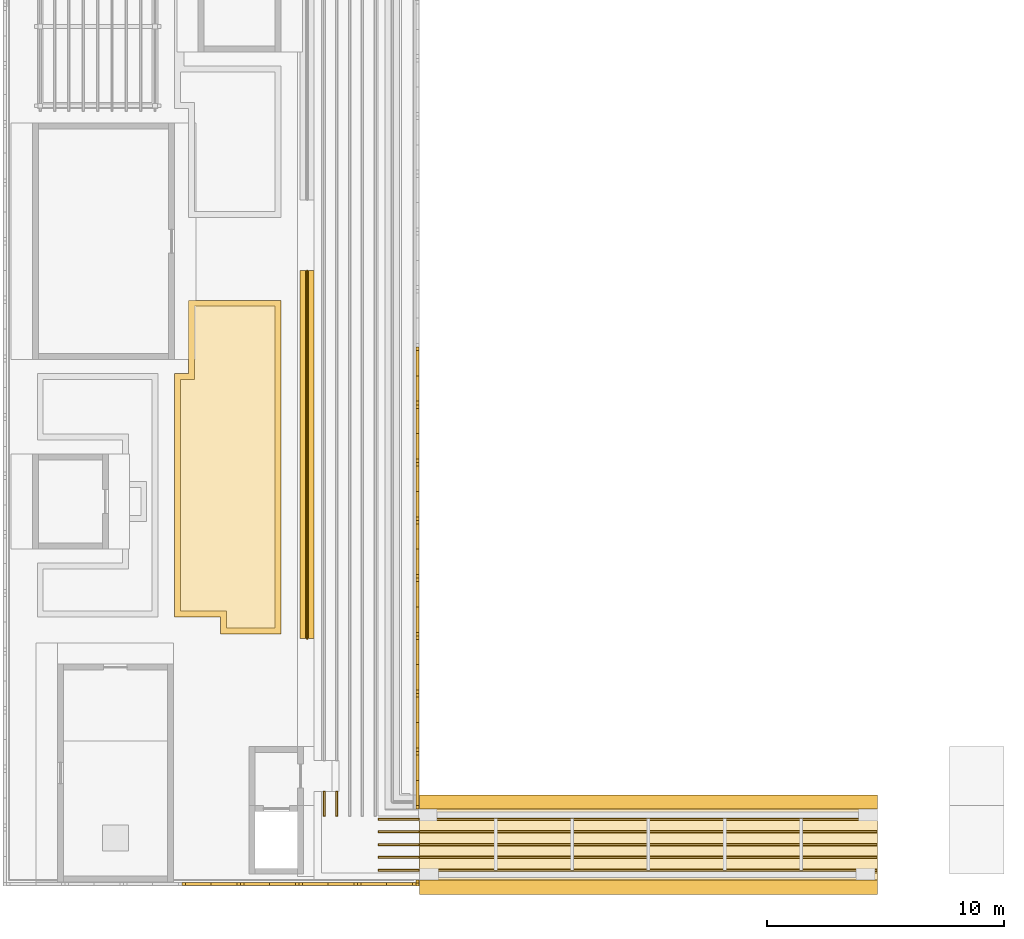
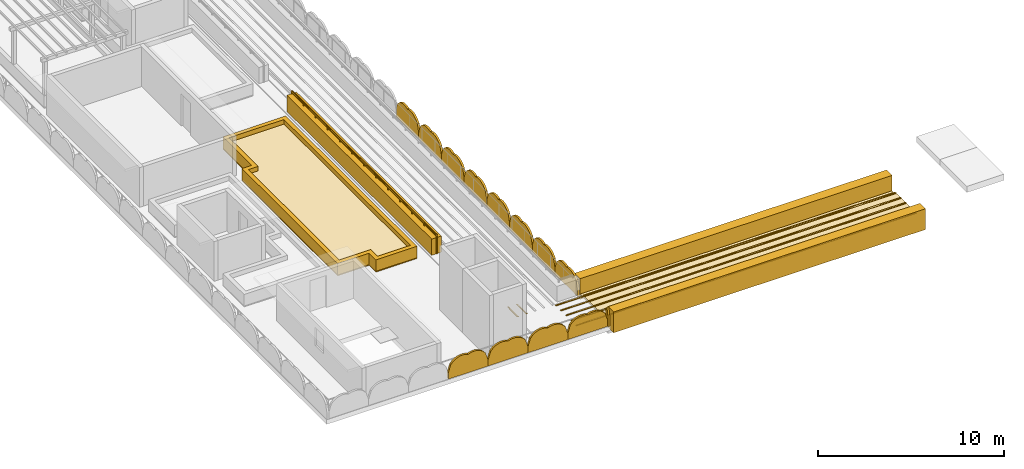
# One storey, part 20 of 22: 20 coverings, 13 shading devices, 1 railing.
"""IFC4 building model written with IfcOpenShell, lengths in metres."""

from ifc_helpers import new_model, si_unit, direction, frame, origin, origin_2d, place, context, subcontext, project, spatial, polyline, circle, outline, extrude, material, layer, layer_set, type_object, element, save


model = new_model("IFC4")

# Units and contexts
model_context = context("Model", 3, precision=1e-05, world=origin(), true_north=direction((0.0, 1.0)))
body_context = subcontext(model_context, "Body", "Model", "MODEL_VIEW")
ifc_project = project(units=[si_unit("LENGTHUNIT", "METRE"), si_unit("AREAUNIT", "SQUARE_METRE"), si_unit("VOLUMEUNIT", "CUBIC_METRE"), si_unit("PLANEANGLEUNIT", "RADIAN"), si_unit("MASSUNIT", "GRAM", prefix="KILO")], contexts=[model_context])

# Site, building, storey
site_placement = place(None, origin())
site = spatial("IfcSite", under=ifc_project, at=site_placement, CompositionType="ELEMENT")
building_placement = place(site_placement, origin())
building = spatial("IfcBuilding", under=site, at=building_placement, Name="Elbe Cascade School", CompositionType="ELEMENT")
storey_placement = place(building_placement, frame((0.0, 0.0, 18.89990234375)))
storey = spatial("IfcBuildingStorey", under=building, at=storey_placement, Name="R05", CompositionType="ELEMENT", Elevation=18.89990234375)

# Shading devices
ifc_material_1 = material(Name="Precast concrete C40/50", Category="concrete")
ifc_layer_1 = layer(ifc_material_1, 0.1201171875)
ifc_layer_set_1 = layer_set([ifc_layer_1], Name="Precast concrete C40/50")
shading_device_type = type_object("IfcShadingDeviceType", Name="Bars envelope Attic jali screen, pointed arch top, pierced precast concrete, 1200 high", PredefinedType="USERDEFINED", material=ifc_layer_set_1)
shading_device_1_placement = place(storey_placement, frame((86.320068359375, 5.75, 0.0), z_axis=(1.0, 0.0, 0.0), x_axis=(0.0, 1.0, 0.0)))
element("IfcShadingDevice", 1, at=shading_device_1_placement, inside=storey, type_object=shading_device_type, Name="Attic jali screen SD1 A.R05.e1", ObjectType="JALI", PredefinedType="USERDEFINED", context=body_context, shape_type="SweptSolid", body=[
    extrude(outline(polyline([(0.0, 0.0), (0.25, 0.0), (0.25, 0.400146484375), (0.234375, 0.685791015625), (0.21875, 0.8037109375), (0.203125, 0.893798828125), (0.1875, 0.96923828125), (0.171875, 1.035400390625), (0.15625, 1.094970703125), (0.140625, 1.149658203125), (0.125, 1.2001953125), (0.109375, 1.149658203125), (0.09375, 1.094970703125), (0.078125, 1.035400390625), (0.0625, 0.96923828125), (0.046875, 0.893798828125), (0.03125, 0.8037109375), (0.015625, 0.685791015625), (0.0, 0.400146484375), (0.0, 0.0)])), origin(), (0.0, 0.0, -1.0), 0.1201171875),
])
shading_device_2_placement = place(storey_placement, frame((86.320068359375, 9.0, 0.0), z_axis=(1.0, 0.0, 0.0), x_axis=(0.0, 1.0, 0.0)))
element("IfcShadingDevice", 2, at=shading_device_2_placement, inside=storey, type_object=shading_device_type, Name="Attic jali screen SD1 A.R05.e2", ObjectType="JALI", PredefinedType="USERDEFINED", context=body_context, shape_type="SweptSolid", body=[
    extrude(outline(polyline([(0.0, 0.0), (2.4404296875, 0.0), (2.4404296875, 0.400146484375), (2.287841796875, 0.892822265625), (2.135498046875, 1.062744140625), (1.98291015625, 1.16748046875), (1.830322265625, 1.232177734375), (1.677734375, 1.265380859375), (1.525390625, 1.271484375), (1.372802734375, 1.250244140625), (1.22021484375, 1.2001953125), (1.067626953125, 1.250244140625), (0.915283203125, 1.271484375), (0.7626953125, 1.265380859375), (0.610107421875, 1.232177734375), (0.45751953125, 1.16748046875), (0.30517578125, 1.062744140625), (0.152587890625, 0.892822265625), (0.0, 0.400146484375), (0.0, 0.0)])), origin(), (0.0, 0.0, -1.0), 0.1201171875),
])
shading_device_3_placement = place(storey_placement, frame((86.320068359375, 11.4404296875, 0.0), z_axis=(1.0, 0.0, 0.0), x_axis=(0.0, 1.0, 0.0)))
element("IfcShadingDevice", 3, at=shading_device_3_placement, inside=storey, type_object=shading_device_type, Name="Attic jali screen SD1 A.R05.e3", ObjectType="JALI", PredefinedType="USERDEFINED", context=body_context, shape_type="SweptSolid", body=[
    extrude(outline(polyline([(0.0, 0.0), (2.440673828125, 0.0), (2.440673828125, 0.400146484375), (2.2880859375, 0.892822265625), (2.135498046875, 1.062744140625), (1.98291015625, 1.16748046875), (1.830322265625, 1.232177734375), (1.677978515625, 1.265380859375), (1.525390625, 1.271484375), (1.372802734375, 1.250244140625), (1.22021484375, 1.2001953125), (1.06787109375, 1.250244140625), (0.915283203125, 1.271484375), (0.7626953125, 1.265380859375), (0.610107421875, 1.232177734375), (0.457763671875, 1.16748046875), (0.30517578125, 1.062744140625), (0.152587890625, 0.892822265625), (0.0, 0.400146484375), (0.0, 0.0)])), origin(), (0.0, 0.0, -1.0), 0.1201171875),
])
shading_device_4_placement = place(storey_placement, frame((86.320068359375, 13.881103515625, 0.0), z_axis=(1.0, 0.0, 0.0), x_axis=(0.0, 1.0, 0.0)))
element("IfcShadingDevice", 4, at=shading_device_4_placement, inside=storey, type_object=shading_device_type, Name="Attic jali screen SD1 A.R05.e4", ObjectType="JALI", PredefinedType="USERDEFINED", context=body_context, shape_type="SweptSolid", body=[
    extrude(outline(polyline([(0.0, 0.0), (2.440185546875, 0.0), (2.440185546875, 0.400146484375), (2.287841796875, 0.892822265625), (2.13525390625, 1.062744140625), (1.982666015625, 1.16748046875), (1.830078125, 1.232177734375), (1.677734375, 1.265380859375), (1.525146484375, 1.271484375), (1.37255859375, 1.250244140625), (1.22021484375, 1.2001953125), (1.067626953125, 1.250244140625), (0.9150390625, 1.271484375), (0.762451171875, 1.265380859375), (0.610107421875, 1.232177734375), (0.457275390625, 1.16748046875), (0.304931640625, 1.062744140625), (0.15234375, 0.892822265625), (0.0, 0.400146484375), (0.0, 0.0)])), origin(), (0.0, 0.0, -1.0), 0.1201171875),
])
shading_device_5_placement = place(storey_placement, frame((86.320068359375, 16.3212890625, 0.0), z_axis=(1.0, 0.0, 0.0), x_axis=(0.0, 1.0, 0.0)))
element("IfcShadingDevice", 5, at=shading_device_5_placement, inside=storey, type_object=shading_device_type, Name="Attic jali screen SD1 A.R05.e5", ObjectType="JALI", PredefinedType="USERDEFINED", context=body_context, shape_type="SweptSolid", body=[
    extrude(outline(polyline([(0.0, 0.0), (2.440673828125, 0.0), (2.440673828125, 0.400146484375), (2.2880859375, 0.892822265625), (2.135498046875, 1.062744140625), (1.98291015625, 1.16748046875), (1.83056640625, 1.232177734375), (1.677978515625, 1.265380859375), (1.525390625, 1.271484375), (1.372802734375, 1.250244140625), (1.220458984375, 1.2001953125), (1.06787109375, 1.250244140625), (0.915283203125, 1.271484375), (0.7626953125, 1.265380859375), (0.610107421875, 1.232177734375), (0.457763671875, 1.16748046875), (0.30517578125, 1.062744140625), (0.15283203125, 0.892822265625), (0.0, 0.400146484375), (0.0, 0.0)])), origin(), (0.0, 0.0, -1.0), 0.1201171875),
])
shading_device_6_placement = place(storey_placement, frame((86.320068359375, 18.761962890625, 0.0), z_axis=(1.0, 0.0, 0.0), x_axis=(0.0, 1.0, 0.0)))
element("IfcShadingDevice", 6, at=shading_device_6_placement, inside=storey, type_object=shading_device_type, Name="Attic jali screen SD1 A.R05.e6", ObjectType="JALI", PredefinedType="USERDEFINED", context=body_context, shape_type="SweptSolid", body=[
    extrude(outline(polyline([(0.0, 0.0), (2.4404296875, 0.0), (2.4404296875, 0.400146484375), (2.287841796875, 0.892822265625), (2.13525390625, 1.062744140625), (1.98291015625, 1.16748046875), (1.830322265625, 1.232177734375), (1.677734375, 1.265380859375), (1.525146484375, 1.271484375), (1.372802734375, 1.250244140625), (1.22021484375, 1.2001953125), (1.067626953125, 1.250244140625), (0.9150390625, 1.271484375), (0.7626953125, 1.265380859375), (0.610107421875, 1.232177734375), (0.45751953125, 1.16748046875), (0.304931640625, 1.062744140625), (0.15234375, 0.892822265625), (0.0, 0.400146484375), (0.0, 0.0)])), origin(), (0.0, 0.0, -1.0), 0.1201171875),
])
shading_device_7_placement = place(storey_placement, frame((86.320068359375, 21.202392578125, 0.0), z_axis=(1.0, 0.0, 0.0), x_axis=(0.0, 1.0, 0.0)))
element("IfcShadingDevice", 7, at=shading_device_7_placement, inside=storey, type_object=shading_device_type, Name="Attic jali screen SD1 A.R05.e7", ObjectType="JALI", PredefinedType="USERDEFINED", context=body_context, shape_type="SweptSolid", body=[
    extrude(outline(polyline([(0.0, 0.0), (2.4404296875, 0.0), (2.4404296875, 0.400146484375), (2.287841796875, 0.892822265625), (2.135498046875, 1.062744140625), (1.98291015625, 1.16748046875), (1.830322265625, 1.232177734375), (1.677734375, 1.265380859375), (1.525390625, 1.271484375), (1.372802734375, 1.250244140625), (1.22021484375, 1.2001953125), (1.067626953125, 1.250244140625), (0.915283203125, 1.271484375), (0.7626953125, 1.265380859375), (0.610107421875, 1.232177734375), (0.45751953125, 1.16748046875), (0.304931640625, 1.062744140625), (0.152587890625, 0.892822265625), (0.0, 0.400146484375), (0.0, 0.0)])), origin(), (0.0, 0.0, -1.0), 0.1201171875),
])
shading_device_8_placement = place(storey_placement, frame((86.320068359375, 23.642822265625, 0.0), z_axis=(1.0, 0.0, 0.0), x_axis=(0.0, 1.0, 0.0)))
element("IfcShadingDevice", 8, at=shading_device_8_placement, inside=storey, type_object=shading_device_type, Name="Attic jali screen SD1 A.R05.e8", ObjectType="JALI", PredefinedType="USERDEFINED", context=body_context, shape_type="SweptSolid", body=[
    extrude(outline(polyline([(0.0, 0.0), (2.4404296875, 0.0), (2.4404296875, 0.400146484375), (2.2880859375, 0.892822265625), (2.135498046875, 1.062744140625), (1.98291015625, 1.16748046875), (1.830322265625, 1.232177734375), (1.677978515625, 1.265380859375), (1.525390625, 1.271484375), (1.372802734375, 1.250244140625), (1.22021484375, 1.2001953125), (1.06787109375, 1.250244140625), (0.915283203125, 1.271484375), (0.7626953125, 1.265380859375), (0.610107421875, 1.232177734375), (0.45751953125, 1.16748046875), (0.30517578125, 1.062744140625), (0.152587890625, 0.892822265625), (0.0, 0.400146484375), (0.0, 0.0)])), origin(), (0.0, 0.0, -1.0), 0.1201171875),
])
shading_device_9_placement = place(storey_placement, frame((86.320068359375, 26.083251953125, 0.0), z_axis=(1.0, 0.0, 0.0), x_axis=(0.0, 1.0, 0.0)))
element("IfcShadingDevice", 9, at=shading_device_9_placement, inside=storey, type_object=shading_device_type, Name="Attic jali screen SD1 A.R05.e9", ObjectType="JALI", PredefinedType="USERDEFINED", context=body_context, shape_type="SweptSolid", body=[
    extrude(outline(polyline([(0.0, 0.0), (2.4404296875, 0.0), (2.4404296875, 0.400146484375), (2.2880859375, 0.892822265625), (2.135498046875, 1.062744140625), (1.98291015625, 1.16748046875), (1.83056640625, 1.232177734375), (1.677978515625, 1.265380859375), (1.525390625, 1.271484375), (1.372802734375, 1.250244140625), (1.220458984375, 1.2001953125), (1.067626953125, 1.250244140625), (0.915283203125, 1.271484375), (0.7626953125, 1.265380859375), (0.6103515625, 1.232177734375), (0.457763671875, 1.16748046875), (0.30517578125, 1.062744140625), (0.152587890625, 0.892822265625), (0.0, 0.400146484375), (0.0, 0.0)])), origin(), (0.0, 0.0, -1.0), 0.1201171875),
])
shading_device_10_placement = place(storey_placement, frame((76.314208984375, 5.780029296875, 0.0), z_axis=(0.0, -1.0, 0.0), x_axis=(1.0, 0.0, 0.0)))
element("IfcShadingDevice", 10, at=shading_device_10_placement, inside=storey, type_object=shading_device_type, Name="Attic jali screen SD1 A.R05.s4", ObjectType="JALI", PredefinedType="USERDEFINED", context=body_context, shape_type="SweptSolid", body=[
    extrude(outline(polyline([(0.0, 0.0), (2.471435546875, 0.0), (2.471435546875, 0.400146484375), (2.31689453125, 0.897216796875), (2.16259765625, 1.068115234375), (2.008056640625, 1.17333984375), (1.853759765625, 1.23779296875), (1.69921875, 1.270751953125), (1.544677734375, 1.275390625), (1.390380859375, 1.252685546875), (1.23583984375, 1.2001953125), (1.081298828125, 1.252685546875), (0.927001953125, 1.275390625), (0.7724609375, 1.270751953125), (0.617919921875, 1.23779296875), (0.46337890625, 1.17333984375), (0.30908203125, 1.068115234375), (0.154541015625, 0.897216796875), (0.0, 0.400146484375), (0.0, 0.0)])), origin(), (0.0, 0.0, -1.0), 0.1201171875),
])
shading_device_11_placement = place(storey_placement, frame((78.78564453125, 5.780029296875, 0.0), z_axis=(0.0, -1.0, 0.0), x_axis=(1.0, 0.0, 0.0)))
element("IfcShadingDevice", 11, at=shading_device_11_placement, inside=storey, type_object=shading_device_type, Name="Attic jali screen SD1 A.R05.s5", ObjectType="JALI", PredefinedType="USERDEFINED", context=body_context, shape_type="SweptSolid", body=[
    extrude(outline(polyline([(0.0, 0.0), (2.471435546875, 0.0), (2.471435546875, 0.400146484375), (2.317138671875, 0.897216796875), (2.16259765625, 1.068115234375), (2.008056640625, 1.17333984375), (1.853759765625, 1.23779296875), (1.69921875, 1.270751953125), (1.544677734375, 1.275390625), (1.39013671875, 1.252685546875), (1.23583984375, 1.2001953125), (1.081298828125, 1.252685546875), (0.9267578125, 1.275390625), (0.7724609375, 1.270751953125), (0.617919921875, 1.23779296875), (0.46337890625, 1.17333984375), (0.308837890625, 1.068115234375), (0.154541015625, 0.897216796875), (0.0, 0.400146484375), (0.0, 0.0)])), origin(), (0.0, 0.0, -1.0), 0.1201171875),
])
shading_device_12_placement = place(storey_placement, frame((81.257080078125, 5.780029296875, 0.0), z_axis=(0.0, -1.0, 0.0), x_axis=(1.0, 0.0, 0.0)))
element("IfcShadingDevice", 12, at=shading_device_12_placement, inside=storey, type_object=shading_device_type, Name="Attic jali screen SD1 A.R05.s6", ObjectType="JALI", PredefinedType="USERDEFINED", context=body_context, shape_type="SweptSolid", body=[
    extrude(outline(polyline([(0.0, 0.0), (2.471435546875, 0.0), (2.471435546875, 0.400146484375), (2.317138671875, 0.897216796875), (2.16259765625, 1.068115234375), (2.008056640625, 1.17333984375), (1.853515625, 1.23779296875), (1.69921875, 1.270751953125), (1.544677734375, 1.275390625), (1.39013671875, 1.252685546875), (1.23583984375, 1.2001953125), (1.081298828125, 1.252685546875), (0.9267578125, 1.275390625), (0.7724609375, 1.270751953125), (0.617919921875, 1.23779296875), (0.46337890625, 1.17333984375), (0.30908203125, 1.068115234375), (0.154541015625, 0.897216796875), (0.0, 0.400146484375), (0.0, 0.0)])), origin(), (0.0, 0.0, -1.0), 0.1201171875),
])
shading_device_13_placement = place(storey_placement, frame((83.728515625, 5.780029296875, 0.0), z_axis=(0.0, -1.0, 0.0), x_axis=(1.0, 0.0, 0.0)))
element("IfcShadingDevice", 13, at=shading_device_13_placement, inside=storey, type_object=shading_device_type, Name="Attic jali screen SD1 A.R05.s7", ObjectType="JALI", PredefinedType="USERDEFINED", context=body_context, shape_type="SweptSolid", body=[
    extrude(outline(polyline([(0.0, 0.0), (2.471435546875, 0.0), (2.471435546875, 0.400146484375), (2.31689453125, 0.897216796875), (2.16259765625, 1.068115234375), (2.008056640625, 1.17333984375), (1.853515625, 1.23779296875), (1.69921875, 1.270751953125), (1.544677734375, 1.275390625), (1.39013671875, 1.252685546875), (1.23583984375, 1.2001953125), (1.081298828125, 1.252685546875), (0.927001953125, 1.275390625), (0.7724609375, 1.270751953125), (0.617919921875, 1.23779296875), (0.46337890625, 1.17333984375), (0.30908203125, 1.068115234375), (0.154541015625, 0.897216796875), (0.0, 0.400146484375), (0.0, 0.0)])), origin(), (0.0, 0.0, -1.0), 0.1201171875),
])

# Coverings
ifc_material_2 = material(Name="Bituminous waterproofing membrane", Category="membrane")
ifc_layer_2 = layer(ifc_material_2, 0.06005859375)
ifc_layer_set_2 = layer_set([ifc_layer_2], Name="Bituminous waterproofing membrane")
covering_type_1 = type_object("IfcCoveringType", Name="Bars envelope Roof covering, bituminous waterproofing membrane", PredefinedType="ROOFING", material=ifc_layer_set_2)
covering_1_placement = place(storey_placement, origin())
element("IfcCovering", 14, at=covering_1_placement, inside=storey, type_object=covering_type_1, Name="Roof covering CV49 A.R05.3", PredefinedType="ROOFING", context=body_context, shape_type="SweptSolid", body=[
    extrude(outline(polyline([(77.949951171875, 17.125), (76.0, 17.125), (76.0, 27.39990234375), (76.60009765625, 27.39990234375), (76.60009765625, 30.5), (80.5, 30.5), (80.5, 16.39990234375), (77.949951171875, 16.39990234375), (77.949951171875, 17.125)])), origin(), (0.0, 0.0, 1.0), 0.06005859375),
])
ifc_material_3 = material(Name="Running track surfacing - white lines", Category="surfacing")
ifc_layer_3 = layer(ifc_material_3, 0.02001953125)
ifc_layer_set_3 = layer_set([ifc_layer_3], Name="Running track surfacing - white lines")
covering_type_2 = type_object("IfcCoveringType", Name="Lane marking 80", PredefinedType="FLOORING", material=ifc_layer_set_3)
covering_2_placement = place(storey_placement, frame((0.0, 0.0, 0.22021484375)))
element("IfcCovering", 15, at=covering_2_placement, inside=storey, type_object=covering_type_2, Name="Lane marking A roof strip 1", PredefinedType="FLOORING", context=body_context, shape_type="SweptSolid", body=[
    extrude(outline(polyline([(82.280029296875, 8.699951171875), (82.280029296875, 9.75), (82.360107421875, 9.75), (82.360107421875, 8.699951171875), (82.280029296875, 8.699951171875)])), origin(), (0.0, 0.0, 1.0), 0.019775390625),
])
covering_3_placement = place(storey_placement, frame((0.0, 0.0, 0.22021484375)))
element("IfcCovering", 16, at=covering_3_placement, inside=storey, type_object=covering_type_2, Name="Lane marking A roof leg 1", PredefinedType="FLOORING", context=body_context, shape_type="SweptSolid", body=[
    extrude(outline(polyline([(84.60009765625, 6.3798828125), (86.35009765625, 6.3798828125), (86.35009765625, 6.4599609375), (84.60009765625, 6.4599609375), (84.60009765625, 6.3798828125)])), origin(), (0.0, 0.0, 1.0), 0.019775390625),
])
covering_4_placement = place(storey_placement, frame((0.0, 0.0, 0.22021484375)))
element("IfcCovering", 17, at=covering_4_placement, inside=storey, type_object=covering_type_2, Name="Lane marking A roof strip 2", PredefinedType="FLOORING", context=body_context, shape_type="SweptSolid", body=[
    extrude(outline(polyline([(82.820068359375, 8.699951171875), (82.820068359375, 9.75), (82.89990234375, 9.75), (82.89990234375, 8.699951171875), (82.820068359375, 8.699951171875)])), origin(), (0.0, 0.0, 1.0), 0.019775390625),
])
covering_5_placement = place(storey_placement, frame((0.0, 0.0, 0.22021484375)))
element("IfcCovering", 18, at=covering_5_placement, inside=storey, type_object=covering_type_2, Name="Lane marking A roof leg 2", PredefinedType="FLOORING", context=body_context, shape_type="SweptSolid", body=[
    extrude(outline(polyline([(84.60009765625, 6.919921875), (86.35009765625, 6.919921875), (86.35009765625, 7.0), (84.60009765625, 7.0), (84.60009765625, 6.919921875)])), origin(), (0.0, 0.0, 1.0), 0.019775390625),
])
covering_6_placement = place(storey_placement, frame((0.0, 0.0, 0.22021484375)))
element("IfcCovering", 19, at=covering_6_placement, inside=storey, type_object=covering_type_2, Name="Lane marking A roof leg 3", PredefinedType="FLOORING", context=body_context, shape_type="SweptSolid", body=[
    extrude(outline(polyline([(84.60009765625, 7.4599609375), (86.35009765625, 7.4599609375), (86.35009765625, 7.5400390625), (84.60009765625, 7.5400390625), (84.60009765625, 7.4599609375)])), origin(), (0.0, 0.0, 1.0), 0.019775390625),
])
covering_7_placement = place(storey_placement, frame((0.0, 0.0, 0.22021484375)))
element("IfcCovering", 20, at=covering_7_placement, inside=storey, type_object=covering_type_2, Name="Lane marking A roof leg 4", PredefinedType="FLOORING", context=body_context, shape_type="SweptSolid", body=[
    extrude(outline(polyline([(84.60009765625, 8.0), (86.35009765625, 8.0), (86.35009765625, 8.080078125), (84.60009765625, 8.080078125), (84.60009765625, 8.0)])), origin(), (0.0, 0.0, 1.0), 0.019775390625),
])
covering_8_placement = place(storey_placement, frame((0.0, 0.0, 0.22021484375)))
element("IfcCovering", 21, at=covering_8_placement, inside=storey, type_object=covering_type_2, Name="Lane marking A roof leg 5", PredefinedType="FLOORING", context=body_context, shape_type="SweptSolid", body=[
    extrude(outline(polyline([(84.60009765625, 8.5400390625), (86.35009765625, 8.5400390625), (86.35009765625, 8.6201171875), (84.60009765625, 8.6201171875), (84.60009765625, 8.5400390625)])), origin(), (0.0, 0.0, 1.0), 0.019775390625),
])
covering_9_placement = place(storey_placement, frame((0.0, 0.0, 0.22021484375)))
element("IfcCovering", 22, at=covering_9_placement, inside=storey, type_object=covering_type_2, Name="Lane marking bridge A-B 1", PredefinedType="FLOORING", context=body_context, shape_type="SweptSolid", body=[
    extrude(outline(polyline([(86.35009765625, 6.3798828125), (105.699951171875, 6.3798828125), (105.699951171875, 6.4599609375), (86.35009765625, 6.4599609375), (86.35009765625, 6.3798828125)])), origin(), (0.0, 0.0, 1.0), 0.019775390625),
])
covering_10_placement = place(storey_placement, frame((0.0, 0.0, 0.22021484375)))
element("IfcCovering", 23, at=covering_10_placement, inside=storey, type_object=covering_type_2, Name="Lane marking bridge A-B 2", PredefinedType="FLOORING", context=body_context, shape_type="SweptSolid", body=[
    extrude(outline(polyline([(86.35009765625, 6.919921875), (105.699951171875, 6.919921875), (105.699951171875, 7.0), (86.35009765625, 7.0), (86.35009765625, 6.919921875)])), origin(), (0.0, 0.0, 1.0), 0.019775390625),
])
covering_11_placement = place(storey_placement, frame((0.0, 0.0, 0.22021484375)))
element("IfcCovering", 24, at=covering_11_placement, inside=storey, type_object=covering_type_2, Name="Lane marking bridge A-B 3", PredefinedType="FLOORING", context=body_context, shape_type="SweptSolid", body=[
    extrude(outline(polyline([(86.35009765625, 7.4599609375), (105.699951171875, 7.4599609375), (105.699951171875, 7.5400390625), (86.35009765625, 7.5400390625), (86.35009765625, 7.4599609375)])), origin(), (0.0, 0.0, 1.0), 0.019775390625),
])
covering_12_placement = place(storey_placement, frame((0.0, 0.0, 0.22021484375)))
element("IfcCovering", 25, at=covering_12_placement, inside=storey, type_object=covering_type_2, Name="Lane marking bridge A-B 4", PredefinedType="FLOORING", context=body_context, shape_type="SweptSolid", body=[
    extrude(outline(polyline([(86.35009765625, 8.0), (105.699951171875, 8.0), (105.699951171875, 8.080078125), (86.35009765625, 8.080078125), (86.35009765625, 8.0)])), origin(), (0.0, 0.0, 1.0), 0.019775390625),
])
covering_13_placement = place(storey_placement, frame((0.0, 0.0, 0.22021484375)))
element("IfcCovering", 26, at=covering_13_placement, inside=storey, type_object=covering_type_2, Name="Lane marking bridge A-B 5", PredefinedType="FLOORING", context=body_context, shape_type="SweptSolid", body=[
    extrude(outline(polyline([(86.35009765625, 8.5400390625), (105.699951171875, 8.5400390625), (105.699951171875, 8.6201171875), (86.35009765625, 8.6201171875), (86.35009765625, 8.5400390625)])), origin(), (0.0, 0.0, 1.0), 0.019775390625),
])
ifc_material_4 = material(Name="Concrete C30/37 precast kerb", Category="concrete")
ifc_layer_4 = layer(ifc_material_4, 0.25)
ifc_layer_set_4 = layer_set([ifc_layer_4], Name="Concrete C30/37 precast kerb")
covering_type_3 = type_object("IfcCoveringType", Name="Planting bed kerb 250x750", PredefinedType="CLADDING", material=ifc_layer_set_4)
covering_14_placement = place(storey_placement, frame((0.0, 0.0, 0.06005859375)))
element("IfcCovering", 27, at=covering_14_placement, inside=storey, type_object=covering_type_3, Name="Planting bed kerb A M1", PredefinedType="CLADDING", context=body_context, shape_type="SweptSolid", body=[
    extrude(outline(polyline([(80.5, 30.5), (80.5, 16.39990234375), (77.949951171875, 16.39990234375), (77.949951171875, 17.125), (77.699951171875, 17.125), (76.0, 17.125), (76.0, 27.39990234375), (76.35009765625, 27.39990234375), (76.60009765625, 27.39990234375), (76.60009765625, 30.5), (80.5, 30.5)]), holes=[polyline([(80.25, 30.25), (80.25, 16.64990234375), (78.199951171875, 16.64990234375), (78.199951171875, 17.375), (76.25, 17.375), (76.25, 27.14990234375), (76.85009765625, 27.14990234375), (76.85009765625, 30.25), (80.25, 30.25)])]), origin(), (0.0, 0.0, 1.0), 0.75),
])
ifc_material_5 = material(Name="Concrete C30/37 precast parapet", Category="concrete")
ifc_layer_5 = layer(ifc_material_5, 0.60009765625)
ifc_layer_set_5 = layer_set([ifc_layer_5], Name="Concrete C30/37 precast parapet")
covering_type_4 = type_object("IfcCoveringType", Name="Ramp and bridge parapet 600", PredefinedType="CLADDING", material=ifc_layer_set_5)
covering_15_placement = place(storey_placement, frame((0.0, 0.0, -0.239990234375)))
element("IfcCovering", 28, at=covering_15_placement, inside=storey, type_object=covering_type_4, Name="Bridge A-B parapet s", PredefinedType="CLADDING", context=body_context, shape_type="SweptSolid", body=[
    extrude(outline(polyline([(86.35009765625, 5.39990234375), (105.699951171875, 5.39990234375), (105.699951171875, 6.0), (86.35009765625, 6.0), (86.35009765625, 5.39990234375)])), origin(), (0.0, 0.0, 1.0), 1.360107421875),
])
covering_16_placement = place(storey_placement, frame((0.0, 0.0, -0.239990234375)))
element("IfcCovering", 29, at=covering_16_placement, inside=storey, type_object=covering_type_4, Name="Bridge A-B parapet n", PredefinedType="CLADDING", context=body_context, shape_type="SweptSolid", body=[
    extrude(outline(polyline([(86.35009765625, 9.0), (105.699951171875, 9.0), (105.699951171875, 9.60009765625), (86.35009765625, 9.60009765625), (86.35009765625, 9.0)])), origin(), (0.0, 0.0, 1.0), 1.360107421875),
])
ifc_material_6 = material(Name="Planting - soil and shrubs", Category="soil")
ifc_layer_6 = layer(ifc_material_6, 0.449951171875)
ifc_layer_set_6 = layer_set([ifc_layer_6], Name="Planting - soil and shrubs")
covering_type_5 = type_object("IfcCoveringType", Name="Roof planting bed 450", PredefinedType="USERDEFINED", material=ifc_layer_set_6)
covering_17_placement = place(storey_placement, frame((0.0, 0.0, 0.06005859375)))
element("IfcCovering", 30, at=covering_17_placement, inside=storey, type_object=covering_type_5, Name="Planting bed A M1", ObjectType="PLANTING BED", PredefinedType="USERDEFINED", context=body_context, shape_type="SweptSolid", body=[
    extrude(outline(polyline([(80.25, 30.25), (80.25, 16.64990234375), (78.199951171875, 16.64990234375), (78.199951171875, 17.375), (76.25, 17.375), (76.25, 27.14990234375), (76.85009765625, 27.14990234375), (76.85009765625, 30.25), (80.25, 30.25)])), origin(), (0.0, 0.0, 1.0), 0.449951171875),
])
ifc_material_7 = material(Name="Running track surfacing - red", Category="surfacing")
ifc_layer_7 = layer(ifc_material_7, 0.10009765625)
ifc_layer_set_7 = layer_set([ifc_layer_7], Name="Running track surfacing - red")
covering_type_6 = type_object("IfcCoveringType", Name="Running track band 100", PredefinedType="USERDEFINED", material=ifc_layer_set_7)
covering_18_placement = place(storey_placement, frame((0.0, 0.0, 0.1201171875)))
element("IfcCovering", 31, at=covering_18_placement, inside=storey, type_object=covering_type_6, Name="Running track band bridge A-B", ObjectType="RUNNING TRACK", PredefinedType="USERDEFINED", context=body_context, shape_type="SweptSolid", body=[
    extrude(outline(polyline([(105.699951171875, 6.300048828125), (105.699951171875, 8.699951171875), (86.35009765625, 8.699951171875), (86.35009765625, 6.300048828125), (105.699951171875, 6.300048828125)])), origin(), (0.0, 0.0, 1.0), 0.10009765625),
])
ifc_material_8 = material(Name="Running track surfacing - red", Category="surfacing")
ifc_layer_8 = layer(ifc_material_8, 0.06005859375)
ifc_layer_set_8 = layer_set([ifc_layer_8], Name="Running track surfacing - red")
covering_type_7 = type_object("IfcCoveringType", Name="Running track surfacing 60", PredefinedType="USERDEFINED", material=ifc_layer_set_8)
covering_19_placement = place(storey_placement, frame((0.0, 0.0, 0.06005859375)))
element("IfcCovering", 32, at=covering_19_placement, inside=storey, type_object=covering_type_7, Name="Running track bridge A-B", ObjectType="RUNNING TRACK", PredefinedType="USERDEFINED", context=body_context, shape_type="SweptSolid", body=[
    extrude(outline(polyline([(86.35009765625, 6.0), (105.699951171875, 6.0), (105.699951171875, 9.0), (86.35009765625, 9.0), (86.35009765625, 6.0)])), origin(), (0.0, 0.0, 1.0), 0.06005859375),
])

# Railing
ifc_material_9 = material(Name="Steel S355J2H", Category="steel")
railing_type = type_object("IfcRailingType", Name="Track edge rail 1280", PredefinedType="GUARDRAIL", material=ifc_material_9)
railing_placement = place(storey_placement, frame((81.60009765625, 31.75, 0.06005859375)))
element("IfcRailing", 33, at=railing_placement, inside=storey, type_object=railing_type, Name="Track edge rail RL6 A west 2", PredefinedType="GUARDRAIL", context=body_context, shape_type="SweptSolid", body=[
    extrude(circle(Radius=0.06005859375, at=origin_2d()), frame((0.0, 0.0, 1.219970703125), z_axis=(0.0, -1.0, 0.0), x_axis=(1.0, 0.0, 0.0)), (0.0, 0.0, 1.0), 15.550048828125),
    extrude(circle(Radius=0.0400390625, at=origin_2d()), origin(), (0.0, 0.0, 1.0), 1.159912109375),
    extrude(circle(Radius=0.0400390625, at=origin_2d()), frame((0.0, -1.2958984375, 0.0)), (0.0, 0.0, 1.0), 1.159912109375),
    extrude(circle(Radius=0.0400390625, at=origin_2d()), frame((0.0, -2.591796875, 0.0)), (0.0, 0.0, 1.0), 1.159912109375),
    extrude(circle(Radius=0.0400390625, at=origin_2d()), frame((0.0, -3.887451171875, 0.0)), (0.0, 0.0, 1.0), 1.159912109375),
    extrude(circle(Radius=0.0400390625, at=origin_2d()), frame((0.0, -5.183349609375, 0.0)), (0.0, 0.0, 1.0), 1.159912109375),
    extrude(circle(Radius=0.0400390625, at=origin_2d()), frame((0.0, -6.479248046875, 0.0)), (0.0, 0.0, 1.0), 1.159912109375),
    extrude(circle(Radius=0.0400390625, at=origin_2d()), frame((0.0, -7.77490234375, 0.0)), (0.0, 0.0, 1.0), 1.159912109375),
    extrude(circle(Radius=0.0400390625, at=origin_2d()), frame((0.0, -9.07080078125, 0.0)), (0.0, 0.0, 1.0), 1.159912109375),
    extrude(circle(Radius=0.0400390625, at=origin_2d()), frame((0.0, -10.36669921875, 0.0)), (0.0, 0.0, 1.0), 1.159912109375),
    extrude(circle(Radius=0.0400390625, at=origin_2d()), frame((0.0, -11.66259765625, 0.0)), (0.0, 0.0, 1.0), 1.159912109375),
    extrude(circle(Radius=0.0400390625, at=origin_2d()), frame((0.0, -12.95849609375, 0.0)), (0.0, 0.0, 1.0), 1.159912109375),
    extrude(circle(Radius=0.0400390625, at=origin_2d()), frame((0.0, -14.254150390625, 0.0)), (0.0, 0.0, 1.0), 1.159912109375),
    extrude(circle(Radius=0.0400390625, at=origin_2d()), frame((0.0, -15.550048828125, 0.0)), (0.0, 0.0, 1.0), 1.159912109375),
])

# Covering
ifc_material_10 = material(Name="Concrete C30/37 precast parapet", Category="concrete")
ifc_layer_9 = layer(ifc_material_10, 0.60009765625)
ifc_layer_set_9 = layer_set([ifc_layer_9], Name="Concrete C30/37 precast parapet")
covering_type_8 = type_object("IfcCoveringType", Name="Track parapet on deck 600x1060", PredefinedType="CLADDING", material=ifc_layer_set_9)
covering_20_placement = place(storey_placement, frame((0.0, 0.0, 0.06005859375)))
element("IfcCovering", 34, at=covering_20_placement, inside=storey, type_object=covering_type_8, Name="Track parapet A west 2", PredefinedType="CLADDING", context=body_context, shape_type="SweptSolid", body=[
    extrude(outline(polyline([(81.300048828125, 31.75), (81.89990234375, 31.75), (81.89990234375, 16.199951171875), (81.300048828125, 16.199951171875), (81.300048828125, 31.75)])), origin(), (0.0, 0.0, 1.0), 1.06005859375),
])

save(model, "model.ifc")
